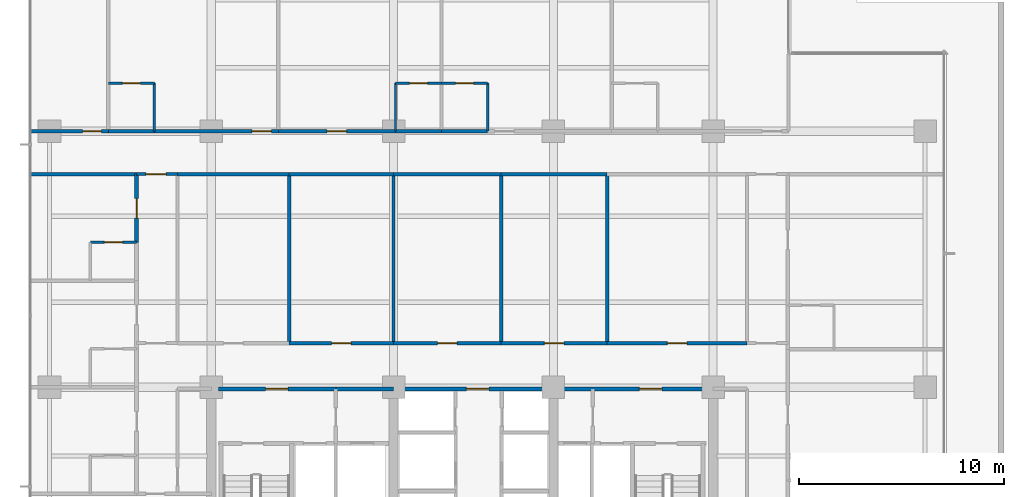
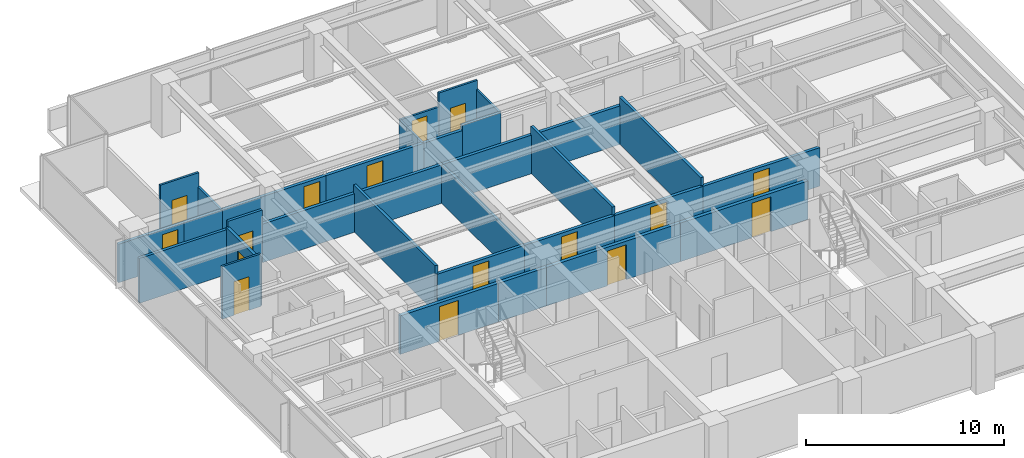
# One storey, part 9 of 16: 32 walls, 16 doors, 16 openings.
"""IFC4 building model written with IfcOpenShell, lengths in metres."""

from ifc_helpers import new_model, si_unit, direction, frame, frame_2d, origin, place, context, subcontext, project, spatial, rectangle, extrude, material, layer, layer_set, type_object, element, fill, save


model = new_model("IFC4")

# Units and contexts
model_context = context("Model", 3, precision=1e-05, world=origin(), true_north=direction((0.0, 1.0)))
body_context = subcontext(model_context, "Body", "Model", "MODEL_VIEW")
ifc_project = project(units=[si_unit("LENGTHUNIT", "METRE"), si_unit("AREAUNIT", "SQUARE_METRE"), si_unit("VOLUMEUNIT", "CUBIC_METRE"), si_unit("PLANEANGLEUNIT", "RADIAN"), si_unit("MASSUNIT", "GRAM", prefix="KILO")], contexts=[model_context])

# Site, building, storey
site_placement = place(None, origin())
site = spatial("IfcSite", under=ifc_project, at=site_placement, CompositionType="ELEMENT")
building_placement = place(site_placement, origin())
building = spatial("IfcBuilding", under=site, at=building_placement, Name="Qalmaran Belvedere Hotel", CompositionType="ELEMENT")
storey_placement = place(building_placement, frame((0.0, 0.0, 138.60009765625)))
storey = spatial("IfcBuildingStorey", under=building, at=storey_placement, Name="L34", CompositionType="ELEMENT", Elevation=138.60009765625)

# Wall, opening, door
ifc_material_1 = material(Name="Moisture-Resistant Gypsum")
ifc_layer_1 = layer(ifc_material_1, 0.1201171875, Name="Moisture-Resistant Gypsum")
ifc_layer_set_1 = layer_set([ifc_layer_1], Name="Moisture-Resistant Gypsum")
wall_type_1 = type_object("IfcWallType", Name="WL-INT-120-BATH", PredefinedType="PARTITIONING", material=ifc_layer_set_1)
wall_1_placement = place(storey_placement, frame((15.27001953125, 35.35009765625, 0.0), z_axis=(0.0, 0.0, 1.0), x_axis=(1.0, 0.0, 0.0)))
wall_1 = element("IfcWall", 1, at=wall_1_placement, inside=storey, type_object=wall_type_1, Name="L34 Partition WL-L34-NBN00", PredefinedType="PARTITIONING", context=body_context, shape_type="SweptSolid", body=[
    extrude(rectangle(XDim=2.25, YDim=0.1201171875, at=frame_2d((1.125, 0.0))), origin(), (0.0, 0.0, 1.0), 3.25),
])
opening_1_placement = place(wall_1_placement, frame((1.56494140625, 0.0, 0.0), z_axis=(0.0, 0.0, 1.0), x_axis=(-1.0, 0.0, 0.0)))
opening_1 = element("IfcOpeningElement", 2, at=opening_1_placement, cuts=wall_1, Name="Opening D-BATH", PredefinedType="OPENING", context=body_context, shape_type="SweptSolid", body=[
    extrude(rectangle(XDim=0.8798828125, YDim=2.080078125, at=frame_2d((0.43994140625, 1.0400390625))), frame((0.0, 0.070068359375, 0.0), z_axis=(0.0, -1.0, 0.0), x_axis=(1.0, 0.0, 0.0)), (0.0, 0.0, 1.0), 0.14013671875),
])
ifc_material_2 = material(Name="Engineered Oak Veneer")
door_type_1 = type_object("IfcDoorType", Name="DR-INT-BATH-880X2080", OperationType="NOTDEFINED", PredefinedType="DOOR", material=ifc_material_2)
door_1_placement = place(opening_1_placement, origin())
door_1 = element("IfcDoor", 3, at=door_1_placement, inside=storey, type_object=door_type_1, Name="L34 Ensuite Bathroom Door N01", OperationType="SINGLE_SWING_RIGHT", OverallHeight=2.080078125, OverallWidth=0.8798828125, PredefinedType="DOOR", context=body_context, shape_type="SweptSolid", body=[
    extrude(rectangle(XDim=0.8798828125, YDim=2.080078125, at=frame_2d((0.43994140625, 1.0400390625))), frame((0.0, 0.02490234375, 0.0), z_axis=(0.0, -1.0, 0.0), x_axis=(1.0, 0.0, 0.0)), (0.0, 0.0, 1.0), 0.050048828125),
])
fill(opening_1, door_1)

# Wall
wall_2_placement = place(storey_placement, frame((17.52001953125, 33.0, 0.0), z_axis=(0.0, 0.0, 1.0), x_axis=(0.0, 1.0, 0.0)))
element("IfcWall", 4, at=wall_2_placement, inside=storey, type_object=wall_type_1, Name="L34 Partition WL-L34-NBS00", PredefinedType="PARTITIONING", context=body_context, shape_type="SweptSolid", body=[
    extrude(rectangle(XDim=2.35009765625, YDim=0.1201171875, at=frame_2d((1.175048828125, 0.0))), origin(), (0.0, 0.0, 1.0), 2.3798828125),
])

# Wall, opening, door
wall_3_placement = place(storey_placement, frame((29.29296875, 35.35009765625, 0.0), z_axis=(0.0, 0.0, 1.0), x_axis=(1.0, 0.0, 0.0)))
wall_3 = element("IfcWall", 5, at=wall_3_placement, inside=storey, type_object=wall_type_1, Name="L34 Partition WL-L34-NBN01", PredefinedType="PARTITIONING", context=body_context, shape_type="SweptSolid", body=[
    extrude(rectangle(XDim=2.25, YDim=0.1201171875, at=frame_2d((1.125, 0.0))), origin(), (0.0, 0.0, 1.0), 2.3798828125),
])
opening_2_placement = place(wall_3_placement, frame((1.56494140625, 0.0, 0.0), z_axis=(0.0, 0.0, 1.0), x_axis=(-1.0, 0.0, 0.0)))
opening_2 = element("IfcOpeningElement", 6, at=opening_2_placement, cuts=wall_3, Name="Opening D-BATH", PredefinedType="OPENING", context=body_context, shape_type="SweptSolid", body=[
    extrude(rectangle(XDim=0.8798828125, YDim=2.080078125, at=frame_2d((0.43994140625, 1.0400390625))), frame((0.0, 0.070068359375, 0.0), z_axis=(0.0, -1.0, 0.0), x_axis=(1.0, 0.0, 0.0)), (0.0, 0.0, 1.0), 0.14013671875),
])
door_2_placement = place(opening_2_placement, origin())
door_2 = element("IfcDoor", 7, at=door_2_placement, inside=storey, type_object=door_type_1, Name="L34 Ensuite Bathroom Door N02", OperationType="SINGLE_SWING_RIGHT", OverallHeight=2.080078125, OverallWidth=0.8798828125, PredefinedType="DOOR", context=body_context, shape_type="SweptSolid", body=[
    extrude(rectangle(XDim=0.8798828125, YDim=2.080078125, at=frame_2d((0.43994140625, 1.0400390625))), frame((0.0, 0.02490234375, 0.0), z_axis=(0.0, -1.0, 0.0), x_axis=(1.0, 0.0, 0.0)), (0.0, 0.0, 1.0), 0.050048828125),
])
fill(opening_2, door_2)

# Wall
wall_4_placement = place(storey_placement, frame((29.29296875, 33.0, 0.0), z_axis=(0.0, 0.0, 1.0), x_axis=(0.0, 1.0, 0.0)))
element("IfcWall", 8, at=wall_4_placement, inside=storey, type_object=wall_type_1, Name="L34 Partition WL-L34-NBS01", PredefinedType="PARTITIONING", context=body_context, shape_type="SweptSolid", body=[
    extrude(rectangle(XDim=2.35009765625, YDim=0.1201171875, at=frame_2d((1.175048828125, 0.0))), origin(), (0.0, 0.0, 1.0), 2.3798828125),
])

# Wall, opening, door
wall_5_placement = place(storey_placement, frame((31.54296875, 35.35009765625, 0.0), z_axis=(0.0, 0.0, 1.0), x_axis=(1.0, 0.0, 0.0)))
wall_5 = element("IfcWall", 9, at=wall_5_placement, inside=storey, type_object=wall_type_1, Name="L34 Partition WL-L34-NBN02", PredefinedType="PARTITIONING", context=body_context, shape_type="SweptSolid", body=[
    extrude(rectangle(XDim=2.25, YDim=0.1201171875, at=frame_2d((1.125, 0.0))), origin(), (0.0, 0.0, 1.0), 3.25),
])
opening_3_placement = place(wall_5_placement, frame((1.56494140625, 0.0, 0.0), z_axis=(0.0, 0.0, 1.0), x_axis=(-1.0, 0.0, 0.0)))
opening_3 = element("IfcOpeningElement", 10, at=opening_3_placement, cuts=wall_5, Name="Opening D-BATH", PredefinedType="OPENING", context=body_context, shape_type="SweptSolid", body=[
    extrude(rectangle(XDim=0.8798828125, YDim=2.080078125, at=frame_2d((0.43994140625, 1.0400390625))), frame((0.0, 0.070068359375, 0.0), z_axis=(0.0, -1.0, 0.0), x_axis=(1.0, 0.0, 0.0)), (0.0, 0.0, 1.0), 0.14013671875),
])
door_3_placement = place(opening_3_placement, origin())
door_3 = element("IfcDoor", 11, at=door_3_placement, inside=storey, type_object=door_type_1, Name="L34 Ensuite Bathroom Door N03", OperationType="SINGLE_SWING_RIGHT", OverallHeight=2.080078125, OverallWidth=0.8798828125, PredefinedType="DOOR", context=body_context, shape_type="SweptSolid", body=[
    extrude(rectangle(XDim=0.8798828125, YDim=2.080078125, at=frame_2d((0.43994140625, 1.0400390625))), frame((0.0, 0.02490234375, 0.0), z_axis=(0.0, -1.0, 0.0), x_axis=(1.0, 0.0, 0.0)), (0.0, 0.0, 1.0), 0.050048828125),
])
fill(opening_3, door_3)

# Wall
wall_6_placement = place(storey_placement, frame((33.79296875, 33.0, 0.0), z_axis=(0.0, 0.0, 1.0), x_axis=(0.0, 1.0, 0.0)))
element("IfcWall", 12, at=wall_6_placement, inside=storey, type_object=wall_type_1, Name="L34 Partition WL-L34-NBS02", PredefinedType="PARTITIONING", context=body_context, shape_type="SweptSolid", body=[
    extrude(rectangle(XDim=2.35009765625, YDim=0.1201171875, at=frame_2d((1.175048828125, 0.0))), origin(), (0.0, 0.0, 1.0), 2.69189453125),
])

# Wall, opening, door
wall_7_placement = place(storey_placement, frame((14.39990234375, 27.570068359375, 0.0), z_axis=(0.0, 0.0, 1.0), x_axis=(1.0, 0.0, 0.0)))
wall_7 = element("IfcWall", 13, at=wall_7_placement, inside=storey, type_object=wall_type_1, Name="L34 Partition WL-L34-WBN02", PredefinedType="PARTITIONING", context=body_context, shape_type="SweptSolid", body=[
    extrude(rectangle(XDim=2.25, YDim=0.1201171875, at=frame_2d((1.125, 0.0))), origin(), (0.0, 0.0, 1.0), 3.25),
])
opening_4_placement = place(wall_7_placement, frame((1.56494140625, 0.0, 0.0), z_axis=(0.0, 0.0, 1.0), x_axis=(-1.0, 0.0, 0.0)))
opening_4 = element("IfcOpeningElement", 14, at=opening_4_placement, cuts=wall_7, Name="Opening D-BATH", PredefinedType="OPENING", context=body_context, shape_type="SweptSolid", body=[
    extrude(rectangle(XDim=0.8798828125, YDim=2.080078125, at=frame_2d((0.43994140625, 1.0400390625))), frame((0.0, 0.070068359375, 0.0), z_axis=(0.0, -1.0, 0.0), x_axis=(1.0, 0.0, 0.0)), (0.0, 0.0, 1.0), 0.14013671875),
])
door_4_placement = place(opening_4_placement, origin())
door_4 = element("IfcDoor", 15, at=door_4_placement, inside=storey, type_object=door_type_1, Name="L34 W Ensuite Door 03", OperationType="SINGLE_SWING_RIGHT", OverallHeight=2.080078125, OverallWidth=0.8798828125, PredefinedType="DOOR", context=body_context, shape_type="SweptSolid", body=[
    extrude(rectangle(XDim=0.8798828125, YDim=2.080078125, at=frame_2d((0.43994140625, 1.0400390625))), frame((0.0, 0.02490234375, 0.0), z_axis=(0.0, -1.0, 0.0), x_axis=(1.0, 0.0, 0.0)), (0.0, 0.0, 1.0), 0.050048828125),
])
fill(opening_4, door_4)

ifc_material_3 = material(Name="Gypsum Stud Partition")
ifc_layer_2 = layer(ifc_material_3, 0.14990234375, Name="Gypsum Stud Partition")
ifc_layer_set_2 = layer_set([ifc_layer_2], Name="Gypsum Stud Partition")
wall_type_2 = type_object("IfcWallType", Name="WL-INT-150-EI60", PredefinedType="PARTITIONING", material=ifc_layer_set_2)
wall_8_placement = place(storey_placement, frame((16.64990234375, 30.89990234375, 0.0), z_axis=(0.0, 0.0, 1.0), x_axis=(1.0, 0.0, 0.0)))
wall_8 = element("IfcWall", 16, at=wall_8_placement, inside=storey, type_object=wall_type_2, Name="L34 Partition WL-L34-XCW2", PredefinedType="PARTITIONING", context=body_context, shape_type="SweptSolid", body=[
    extrude(rectangle(XDim=2.0, YDim=0.14990234375, at=frame_2d((1.0, 0.0))), origin(), (0.0, 0.0, 1.0), 3.25),
])
opening_5_placement = place(wall_8_placement, frame((0.449951171875, 0.0, 0.0)))
opening_5 = element("IfcOpeningElement", 17, at=opening_5_placement, cuts=wall_8, Name="Opening FD90B", PredefinedType="OPENING", context=body_context, shape_type="SweptSolid", body=[
    extrude(rectangle(XDim=1.0, YDim=2.14990234375, at=frame_2d((0.5, 1.074951171875))), frame((0.0, 0.0849609375, 0.0), z_axis=(0.0, -1.0, 0.0), x_axis=(1.0, 0.0, 0.0)), (0.0, 0.0, 1.0), 0.169921875),
])
ifc_material_4 = material(Name="Steel S355JR", Category="steel")
door_type_2 = type_object("IfcDoorType", Name="DR-FD90B-1000X2150", OperationType="NOTDEFINED", PredefinedType="DOOR", material=ifc_material_4)
door_5_placement = place(opening_5_placement, origin())
door_5 = element("IfcDoor", 18, at=door_5_placement, inside=storey, type_object=door_type_2, Name="L34 West Corridor Smoke Door N", OperationType="SINGLE_SWING_RIGHT", OverallHeight=2.14990234375, OverallWidth=1.0, PredefinedType="DOOR", context=body_context, shape_type="SweptSolid", body=[
    extrude(rectangle(XDim=1.0, YDim=2.14990234375, at=frame_2d((0.5, 1.074951171875))), frame((0.0, 0.02490234375, 0.0), z_axis=(0.0, -1.0, 0.0), x_axis=(1.0, 0.0, 0.0)), (0.0, 0.0, 1.0), 0.050048828125),
])
fill(opening_5, door_5)

# Walls
ifc_layer_3 = layer(ifc_material_3, 0.159912109375, Name="Gypsum Stud Partition")
ifc_layer_set_3 = layer_set([ifc_layer_3], Name="Gypsum Stud Partition")
wall_type_3 = type_object("IfcWallType", Name="WL-INT-160-EI60", PredefinedType="PARTITIONING", material=ifc_layer_set_3)
wall_9_placement = place(storey_placement, frame((24.10009765625, 22.64990234375, 0.0), z_axis=(0.0, 0.0, 1.0), x_axis=(0.0, 1.0, 0.0)))
element("IfcWall", 19, at=wall_9_placement, inside=storey, type_object=wall_type_3, Name="L34 Partition WL-L34-MIDVR1", PredefinedType="PARTITIONING", context=body_context, shape_type="SweptSolid", body=[
    extrude(rectangle(XDim=8.25, YDim=0.159912109375, at=frame_2d((4.125, 0.0))), origin(), (0.0, 0.0, 1.0), 2.880859375),
])
wall_10_placement = place(storey_placement, frame((29.199951171875, 22.64990234375, 0.0), z_axis=(0.0, 0.0, 1.0), x_axis=(0.0, 1.0, 0.0)))
element("IfcWall", 20, at=wall_10_placement, inside=storey, type_object=wall_type_3, Name="L34 Partition WL-L34-MIDVR2", PredefinedType="PARTITIONING", context=body_context, shape_type="SweptSolid", body=[
    extrude(rectangle(XDim=8.25, YDim=0.159912109375, at=frame_2d((4.125, 0.0))), origin(), (0.0, 0.0, 1.0), 2.3798828125),
])
for number, where, z_axis, x_axis, name in (
    (21, (34.449951171875, 22.64990234375, 0.0), (0.0, 0.0, 1.0), (0.0, 1.0, 0.0), "L34 Partition WL-L34-MIDVR3"),
    (22, (39.625, 22.64990234375, 0.0), (0.0, 0.0, 1.0), (0.0, 1.0, 0.0), "L34 Partition WL-L34-MIDVR4"),
):
    element("IfcWall", number, at=place(storey_placement, frame(where, z_axis=z_axis, x_axis=x_axis)), inside=storey, type_object=wall_type_3, Name=name, PredefinedType="PARTITIONING", context=body_context, shape_type="SweptSolid", body=[
        extrude(rectangle(XDim=8.25, YDim=0.159912109375, at=frame_2d((4.125, 0.0))), origin(), (0.0, 0.0, 1.0), 2.880859375),
    ])
wall_11_placement = place(storey_placement, frame((11.469970703125, 30.89990234375, 0.0), z_axis=(0.0, 0.0, 1.0), x_axis=(1.0, 0.0, 0.0)))
element("IfcWall", 23, at=wall_11_placement, inside=storey, type_object=wall_type_3, Name="L34 Partition WL-L34-WU02", PredefinedType="PARTITIONING", context=body_context, shape_type="SweptSolid", body=[
    extrude(rectangle(XDim=5.179931640625, YDim=0.159912109375, at=frame_2d((2.58984375, 0.0))), origin(), (0.0, 0.0, 1.0), 2.77197265625),
])
ifc_layer_4 = layer(ifc_material_3, 0.179931640625, Name="Gypsum Stud Partition")
ifc_layer_set_4 = layer_set([ifc_layer_4], Name="Gypsum Stud Partition")
wall_type_4 = type_object("IfcWallType", Name="WL-INT-180-EI60", PredefinedType="PARTITIONING", material=ifc_layer_set_4)
wall_12_placement = place(storey_placement, frame((18.64990234375, 30.89990234375, 0.0), z_axis=(0.0, 0.0, 1.0), x_axis=(1.0, 0.0, 0.0)))
element("IfcWall", 24, at=wall_12_placement, inside=storey, type_object=wall_type_4, Name="L34 Partition WL-L34-MIDO1", PredefinedType="PARTITIONING", context=body_context, shape_type="SweptSolid", body=[
    extrude(rectangle(XDim=5.4501953125, YDim=0.179931640625, at=frame_2d((2.72509765625, 0.0))), origin(), (0.0, 0.0, 1.0), 2.3798828125),
])

# Wall, opening, door
wall_13_placement = place(storey_placement, frame((24.10009765625, 22.64990234375, 0.0), z_axis=(0.0, 0.0, 1.0), x_axis=(1.0, 0.0, 0.0)))
wall_13 = element("IfcWall", 25, at=wall_13_placement, inside=storey, type_object=wall_type_4, Name="L34 Partition WL-L34-MIDD2", PredefinedType="PARTITIONING", context=body_context, shape_type="SweptSolid", body=[
    extrude(rectangle(XDim=5.099853515625, YDim=0.179931640625, at=frame_2d((2.5498046875, 0.0))), origin(), (0.0, 0.0, 1.0), 2.3798828125),
])
opening_6_placement = place(wall_13_placement, frame((2.074951171875, 0.0, 0.0)))
opening_6 = element("IfcOpeningElement", 26, at=opening_6_placement, cuts=wall_13, Name="Opening FD60", PredefinedType="OPENING", context=body_context, shape_type="SweptSolid", body=[
    extrude(rectangle(XDim=0.949951171875, YDim=2.14990234375, at=frame_2d((0.47509765625, 1.074951171875))), frame((0.0, 0.10009765625, 0.0), z_axis=(0.0, -1.0, 0.0), x_axis=(1.0, 0.0, 0.0)), (0.0, 0.0, 1.0), 0.199951171875),
])
door_type_3 = type_object("IfcDoorType", Name="DR-FD60-950X2150", OperationType="NOTDEFINED", PredefinedType="DOOR", material=ifc_material_2)
door_6_placement = place(opening_6_placement, origin())
door_6 = element("IfcDoor", 27, at=door_6_placement, inside=storey, type_object=door_type_3, Name="L34 Club Lounge Door", OperationType="SINGLE_SWING_RIGHT", OverallHeight=2.14990234375, OverallWidth=0.949951171875, PredefinedType="DOOR", context=body_context, shape_type="SweptSolid", body=[
    extrude(rectangle(XDim=0.949951171875, YDim=2.14990234375, at=frame_2d((0.47509765625, 1.074951171875))), frame((0.0, 0.02490234375, 0.0), z_axis=(0.0, -1.0, 0.0), x_axis=(1.0, 0.0, 0.0)), (0.0, 0.0, 1.0), 0.050048828125),
])
fill(opening_6, door_6)

# Wall
wall_14_placement = place(storey_placement, frame((24.10009765625, 30.89990234375, 0.0), z_axis=(0.0, 0.0, 1.0), x_axis=(1.0, 0.0, 0.0)))
element("IfcWall", 28, at=wall_14_placement, inside=storey, type_object=wall_type_4, Name="L34 Partition WL-L34-MIDO2", PredefinedType="PARTITIONING", context=body_context, shape_type="SweptSolid", body=[
    extrude(rectangle(XDim=5.099853515625, YDim=0.179931640625, at=frame_2d((2.5498046875, 0.0))), origin(), (0.0, 0.0, 1.0), 2.3798828125),
])

# Wall, opening, door
wall_15_placement = place(storey_placement, frame((29.199951171875, 22.64990234375, 0.0), z_axis=(0.0, 0.0, 1.0), x_axis=(1.0, 0.0, 0.0)))
wall_15 = element("IfcWall", 29, at=wall_15_placement, inside=storey, type_object=wall_type_4, Name="L34 Partition WL-L34-MIDD3", PredefinedType="PARTITIONING", context=body_context, shape_type="SweptSolid", body=[
    extrude(rectangle(XDim=5.25, YDim=0.179931640625, at=frame_2d((2.625, 0.0))), origin(), (0.0, 0.0, 1.0), 2.3798828125),
])
opening_7_placement = place(wall_15_placement, frame((2.14990234375, 0.0, 0.0)))
opening_7 = element("IfcOpeningElement", 30, at=opening_7_placement, cuts=wall_15, Name="Opening FD60", PredefinedType="OPENING", context=body_context, shape_type="SweptSolid", body=[
    extrude(rectangle(XDim=0.949951171875, YDim=2.14990234375, at=frame_2d((0.47509765625, 1.074951171875))), frame((0.0, 0.10009765625, 0.0), z_axis=(0.0, -1.0, 0.0), x_axis=(1.0, 0.0, 0.0)), (0.0, 0.0, 1.0), 0.199951171875),
])
door_7_placement = place(opening_7_placement, origin())
door_7 = element("IfcDoor", 31, at=door_7_placement, inside=storey, type_object=door_type_3, Name="L34 Reading Lounge Door", OperationType="SINGLE_SWING_LEFT", OverallHeight=2.14990234375, OverallWidth=0.949951171875, PredefinedType="DOOR", context=body_context, shape_type="SweptSolid", body=[
    extrude(rectangle(XDim=0.949951171875, YDim=2.14990234375, at=frame_2d((0.47509765625, 1.074951171875))), frame((0.0, 0.02490234375, 0.0), z_axis=(0.0, -1.0, 0.0), x_axis=(1.0, 0.0, 0.0)), (0.0, 0.0, 1.0), 0.050048828125),
])
fill(opening_7, door_7)

# Wall
wall_16_placement = place(storey_placement, frame((29.199951171875, 30.89990234375, 0.0), z_axis=(0.0, 0.0, 1.0), x_axis=(1.0, 0.0, 0.0)))
element("IfcWall", 32, at=wall_16_placement, inside=storey, type_object=wall_type_4, Name="L34 Partition WL-L34-MIDO3", PredefinedType="PARTITIONING", context=body_context, shape_type="SweptSolid", body=[
    extrude(rectangle(XDim=5.25, YDim=0.179931640625, at=frame_2d((2.625, 0.0))), origin(), (0.0, 0.0, 1.0), 2.3798828125),
])

# Wall, opening, door
wall_17_placement = place(storey_placement, frame((34.449951171875, 22.64990234375, 0.0), z_axis=(0.0, 0.0, 1.0), x_axis=(1.0, 0.0, 0.0)))
wall_17 = element("IfcWall", 33, at=wall_17_placement, inside=storey, type_object=wall_type_4, Name="L34 Partition WL-L34-MIDD4", PredefinedType="PARTITIONING", context=body_context, shape_type="SweptSolid", body=[
    extrude(rectangle(XDim=5.175048828125, YDim=0.179931640625, at=frame_2d((2.58740234375, 0.0))), origin(), (0.0, 0.0, 1.0), 2.3798828125),
])
opening_8_placement = place(wall_17_placement, frame((2.112548828125, 0.0, 0.0)))
opening_8 = element("IfcOpeningElement", 34, at=opening_8_placement, cuts=wall_17, Name="Opening FD60", PredefinedType="OPENING", context=body_context, shape_type="SweptSolid", body=[
    extrude(rectangle(XDim=0.949951171875, YDim=2.14990234375, at=frame_2d((0.47509765625, 1.074951171875))), frame((0.0, 0.10009765625, 0.0), z_axis=(0.0, -1.0, 0.0), x_axis=(1.0, 0.0, 0.0)), (0.0, 0.0, 1.0), 0.199951171875),
])
door_8_placement = place(opening_8_placement, origin())
door_8 = element("IfcDoor", 35, at=door_8_placement, inside=storey, type_object=door_type_3, Name="L34 Tea Lounge Door", OperationType="SINGLE_SWING_RIGHT", OverallHeight=2.14990234375, OverallWidth=0.949951171875, PredefinedType="DOOR", context=body_context, shape_type="SweptSolid", body=[
    extrude(rectangle(XDim=0.949951171875, YDim=2.14990234375, at=frame_2d((0.47509765625, 1.074951171875))), frame((0.0, 0.02490234375, 0.0), z_axis=(0.0, -1.0, 0.0), x_axis=(1.0, 0.0, 0.0)), (0.0, 0.0, 1.0), 0.050048828125),
])
fill(opening_8, door_8)

# Wall
wall_18_placement = place(storey_placement, frame((34.449951171875, 30.89990234375, 0.0), z_axis=(0.0, 0.0, 1.0), x_axis=(1.0, 0.0, 0.0)))
element("IfcWall", 36, at=wall_18_placement, inside=storey, type_object=wall_type_4, Name="L34 Partition WL-L34-MIDO4", PredefinedType="PARTITIONING", context=body_context, shape_type="SweptSolid", body=[
    extrude(rectangle(XDim=5.175048828125, YDim=0.179931640625, at=frame_2d((2.58740234375, 0.0))), origin(), (0.0, 0.0, 1.0), 2.3798828125),
])

# Wall, opening, door
wall_19_placement = place(storey_placement, frame((39.625, 22.64990234375, 0.0), z_axis=(0.0, 0.0, 1.0), x_axis=(1.0, 0.0, 0.0)))
wall_19 = element("IfcWall", 37, at=wall_19_placement, inside=storey, type_object=wall_type_4, Name="L34 Partition WL-L34-MIDD5", PredefinedType="PARTITIONING", context=body_context, shape_type="SweptSolid", body=[
    extrude(rectangle(XDim=6.824951171875, YDim=0.179931640625, at=frame_2d((3.41259765625, 0.0))), origin(), (0.0, 0.0, 1.0), 2.3798828125),
])
opening_9_placement = place(wall_19_placement, frame((2.9375, 0.0, 0.0)))
opening_9 = element("IfcOpeningElement", 38, at=opening_9_placement, cuts=wall_19, Name="Opening FD60", PredefinedType="OPENING", context=body_context, shape_type="SweptSolid", body=[
    extrude(rectangle(XDim=0.949951171875, YDim=2.14990234375, at=frame_2d((0.47509765625, 1.074951171875))), frame((0.0, 0.10009765625, 0.0), z_axis=(0.0, -1.0, 0.0), x_axis=(1.0, 0.0, 0.0)), (0.0, 0.0, 1.0), 0.199951171875),
])
door_9_placement = place(opening_9_placement, origin())
door_9 = element("IfcDoor", 39, at=door_9_placement, inside=storey, type_object=door_type_3, Name="L34 Sunset Lounge Door", OperationType="SINGLE_SWING_LEFT", OverallHeight=2.14990234375, OverallWidth=0.949951171875, PredefinedType="DOOR", context=body_context, shape_type="SweptSolid", body=[
    extrude(rectangle(XDim=0.949951171875, YDim=2.14990234375, at=frame_2d((0.47509765625, 1.074951171875))), frame((0.0, 0.02490234375, 0.0), z_axis=(0.0, -1.0, 0.0), x_axis=(1.0, 0.0, 0.0)), (0.0, 0.0, 1.0), 0.050048828125),
])
fill(opening_9, door_9)

# Wall
wall_20_placement = place(storey_placement, frame((15.27001953125, 33.0, 0.0), z_axis=(0.0, 0.0, 1.0), x_axis=(1.0, 0.0, 0.0)))
element("IfcWall", 40, at=wall_20_placement, inside=storey, type_object=wall_type_4, Name="L34 Partition WL-L34-NBC00", PredefinedType="PARTITIONING", context=body_context, shape_type="SweptSolid", body=[
    extrude(rectangle(XDim=2.25, YDim=0.179931640625, at=frame_2d((1.125, 0.0))), origin(), (0.0, 0.0, 1.0), 2.3798828125),
])

# Wall, opening, door
wall_21_placement = place(storey_placement, frame((17.52001953125, 33.0, 0.0), z_axis=(0.0, 0.0, 1.0), x_axis=(1.0, 0.0, 0.0)))
wall_21 = element("IfcWall", 41, at=wall_21_placement, inside=storey, type_object=wall_type_4, Name="L34 Partition WL-L34-NEC00", PredefinedType="PARTITIONING", context=body_context, shape_type="SweptSolid", body=[
    extrude(rectangle(XDim=6.052490234375, YDim=0.179931640625, at=frame_2d((3.0263671875, 0.0))), origin(), (0.0, 0.0, 1.0), 2.3798828125),
])
opening_10_placement = place(wall_21_placement, frame((4.762939453125, 0.0, 0.0)))
opening_10 = element("IfcOpeningElement", 42, at=opening_10_placement, cuts=wall_21, Name="Opening FD60", PredefinedType="OPENING", context=body_context, shape_type="SweptSolid", body=[
    extrude(rectangle(XDim=0.949951171875, YDim=2.14990234375, at=frame_2d((0.47509765625, 1.074951171875))), frame((0.0, 0.10009765625, 0.0), z_axis=(0.0, -1.0, 0.0), x_axis=(1.0, 0.0, 0.0)), (0.0, 0.0, 1.0), 0.199951171875),
])
door_10_placement = place(opening_10_placement, origin())
door_10 = element("IfcDoor", 43, at=door_10_placement, inside=storey, type_object=door_type_3, Name="L34 Guest Entrance Door N01", OperationType="SINGLE_SWING_LEFT", OverallHeight=2.14990234375, OverallWidth=0.949951171875, PredefinedType="DOOR", context=body_context, shape_type="SweptSolid", body=[
    extrude(rectangle(XDim=0.949951171875, YDim=2.14990234375, at=frame_2d((0.47509765625, 1.074951171875))), frame((0.0, 0.02490234375, 0.0), z_axis=(0.0, -1.0, 0.0), x_axis=(1.0, 0.0, 0.0)), (0.0, 0.0, 1.0), 0.050048828125),
])
fill(opening_10, door_10)

# Wall
wall_22_placement = place(storey_placement, frame((29.29296875, 33.0, 0.0), z_axis=(0.0, 0.0, 1.0), x_axis=(1.0, 0.0, 0.0)))
element("IfcWall", 44, at=wall_22_placement, inside=storey, type_object=wall_type_4, Name="L34 Partition WL-L34-NBC01", PredefinedType="PARTITIONING", context=body_context, shape_type="SweptSolid", body=[
    extrude(rectangle(XDim=2.25, YDim=0.179931640625, at=frame_2d((1.125, 0.0))), origin(), (0.0, 0.0, 1.0), 2.3798828125),
])

# Wall, opening, door
wall_23_placement = place(storey_placement, frame((23.572509765625, 33.0, 0.0), z_axis=(0.0, 0.0, 1.0), x_axis=(1.0, 0.0, 0.0)))
wall_23 = element("IfcWall", 45, at=wall_23_placement, inside=storey, type_object=wall_type_4, Name="L34 Partition WL-L34-NEC01", PredefinedType="PARTITIONING", context=body_context, shape_type="SweptSolid", body=[
    extrude(rectangle(XDim=5.720458984375, YDim=0.179931640625, at=frame_2d((2.8603515625, 0.0))), origin(), (0.0, 0.0, 1.0), 2.3798828125),
])
opening_11_placement = place(wall_23_placement, frame((2.38525390625, 0.0, 0.0)))
opening_11 = element("IfcOpeningElement", 46, at=opening_11_placement, cuts=wall_23, Name="Opening FD60", PredefinedType="OPENING", context=body_context, shape_type="SweptSolid", body=[
    extrude(rectangle(XDim=0.949951171875, YDim=2.14990234375, at=frame_2d((0.47509765625, 1.074951171875))), frame((0.0, 0.10009765625, 0.0), z_axis=(0.0, -1.0, 0.0), x_axis=(1.0, 0.0, 0.0)), (0.0, 0.0, 1.0), 0.199951171875),
])
door_11_placement = place(opening_11_placement, origin())
door_11 = element("IfcDoor", 47, at=door_11_placement, inside=storey, type_object=door_type_3, Name="L34 Guest Entrance Door N02", OperationType="SINGLE_SWING_LEFT", OverallHeight=2.14990234375, OverallWidth=0.949951171875, PredefinedType="DOOR", context=body_context, shape_type="SweptSolid", body=[
    extrude(rectangle(XDim=0.949951171875, YDim=2.14990234375, at=frame_2d((0.47509765625, 1.074951171875))), frame((0.0, 0.02490234375, 0.0), z_axis=(0.0, -1.0, 0.0), x_axis=(1.0, 0.0, 0.0)), (0.0, 0.0, 1.0), 0.050048828125),
])
fill(opening_11, door_11)

# Wall
wall_24_placement = place(storey_placement, frame((31.54296875, 33.0, 0.0), z_axis=(0.0, 0.0, 1.0), x_axis=(1.0, 0.0, 0.0)))
element("IfcWall", 48, at=wall_24_placement, inside=storey, type_object=wall_type_4, Name="L34 Partition WL-L34-NBC02", PredefinedType="PARTITIONING", context=body_context, shape_type="SweptSolid", body=[
    extrude(rectangle(XDim=2.25, YDim=0.179931640625, at=frame_2d((1.125, 0.0))), origin(), (0.0, 0.0, 1.0), 2.69189453125),
])

# Wall, opening, door
wall_25_placement = place(storey_placement, frame((16.64990234375, 27.570068359375, 0.0), z_axis=(0.0, 0.0, 1.0), x_axis=(0.0, 1.0, 0.0)))
wall_25 = element("IfcWall", 49, at=wall_25_placement, inside=storey, type_object=wall_type_4, Name="L34 Partition WL-L34-WEC02", PredefinedType="PARTITIONING", context=body_context, shape_type="SweptSolid", body=[
    extrude(rectangle(XDim=3.329833984375, YDim=0.179931640625, at=frame_2d((1.6650390625, 0.0))), origin(), (0.0, 0.0, 1.0), 2.880859375),
])
opening_12_placement = place(wall_25_placement, frame((1.18994140625, 0.0, 0.0)))
opening_12 = element("IfcOpeningElement", 50, at=opening_12_placement, cuts=wall_25, Name="Opening FD60", PredefinedType="OPENING", context=body_context, shape_type="SweptSolid", body=[
    extrude(rectangle(XDim=0.949951171875, YDim=2.14990234375, at=frame_2d((0.47509765625, 1.074951171875))), frame((0.0, 0.10009765625, 0.0), z_axis=(0.0, -1.0, 0.0), x_axis=(1.0, 0.0, 0.0)), (0.0, 0.0, 1.0), 0.199951171875),
])
door_12_placement = place(opening_12_placement, origin())
door_12 = element("IfcDoor", 51, at=door_12_placement, inside=storey, type_object=door_type_3, Name="L34 W Wing Door 03", OperationType="SINGLE_SWING_LEFT", OverallHeight=2.14990234375, OverallWidth=0.949951171875, PredefinedType="DOOR", context=body_context, shape_type="SweptSolid", body=[
    extrude(rectangle(XDim=0.949951171875, YDim=2.14990234375, at=frame_2d((0.47509765625, 1.074951171875))), frame((0.0, 0.02490234375, 0.0), z_axis=(0.0, -1.0, 0.0), x_axis=(1.0, 0.0, 0.0)), (0.0, 0.0, 1.0), 0.050048828125),
])
fill(opening_12, door_12)

wall_26_placement = place(storey_placement, frame((11.469970703125, 33.0, 0.0), z_axis=(0.0, 0.0, 1.0), x_axis=(1.0, 0.0, 0.0)))
wall_26 = element("IfcWall", 52, at=wall_26_placement, inside=storey, type_object=wall_type_4, Name="L34 Partition WL-L34-NWSD", PredefinedType="PARTITIONING", context=body_context, shape_type="SweptSolid", body=[
    extrude(rectangle(XDim=3.800048828125, YDim=0.179931640625, at=frame_2d((1.89990234375, 0.0))), origin(), (0.0, 0.0, 1.0), 2.3798828125),
])
opening_13_placement = place(wall_26_placement, frame((2.543701171875, 0.0, 0.0)))
opening_13 = element("IfcOpeningElement", 53, at=opening_13_placement, cuts=wall_26, Name="Opening FD60S1", PredefinedType="OPENING", context=body_context, shape_type="SweptSolid", body=[
    extrude(rectangle(XDim=0.919921875, YDim=2.080078125, at=frame_2d((0.4599609375, 1.0400390625))), frame((0.0, 0.10009765625, 0.0), z_axis=(0.0, -1.0, 0.0), x_axis=(1.0, 0.0, 0.0)), (0.0, 0.0, 1.0), 0.199951171875),
])
door_type_4 = type_object("IfcDoorType", Name="DR-FD60S-920X2080", OperationType="NOTDEFINED", PredefinedType="DOOR", material=ifc_material_2)
door_13_placement = place(opening_13_placement, origin())
door_13 = element("IfcDoor", 54, at=door_13_placement, inside=storey, type_object=door_type_4, Name="L34 NW Belvedere Study Door", OperationType="SINGLE_SWING_RIGHT", OverallHeight=2.080078125, OverallWidth=0.919921875, PredefinedType="DOOR", context=body_context, shape_type="SweptSolid", body=[
    extrude(rectangle(XDim=0.919921875, YDim=2.080078125, at=frame_2d((0.4599609375, 1.0400390625))), frame((0.0, 0.02490234375, 0.0), z_axis=(0.0, -1.0, 0.0), x_axis=(1.0, 0.0, 0.0)), (0.0, 0.0, 1.0), 0.050048828125),
])
fill(opening_13, door_13)

ifc_material_5 = material(Name="Concrete C30/37 Blockwork", Category="masonry")
ifc_layer_5 = layer(ifc_material_5, 0.199951171875, Name="Concrete C30/37 Blockwork")
ifc_layer_set_5 = layer_set([ifc_layer_5], Name="Concrete C30/37 Blockwork")
wall_type_5 = type_object("IfcWallType", Name="WL-INT-200-EI120", PredefinedType="PARTITIONING", material=ifc_layer_set_5)
wall_27_placement = place(storey_placement, frame((20.64990234375, 20.419921875, 0.0), z_axis=(0.0, 0.0, 1.0), x_axis=(1.0, 0.0, 0.0)))
wall_27 = element("IfcWall", 55, at=wall_27_placement, inside=storey, type_object=wall_type_5, Name="L34 Partition WL-CN1A-L34", PredefinedType="PARTITIONING", context=body_context, shape_type="SweptSolid", body=[
    extrude(rectangle(XDim=5.72998046875, YDim=0.199951171875, at=frame_2d((2.864990234375, 0.0))), origin(), (0.0, 0.0, 1.0), 2.3798828125),
])
opening_14_placement = place(wall_27_placement, frame((2.300048828125, 0.0, 0.0)))
opening_14 = element("IfcOpeningElement", 56, at=opening_14_placement, cuts=wall_27, Name="Opening FD90", PredefinedType="OPENING", context=body_context, shape_type="SweptSolid", body=[
    extrude(rectangle(XDim=1.10009765625, YDim=2.14990234375, at=frame_2d((0.550048828125, 1.074951171875))), frame((0.0, 0.10986328125, 0.0), z_axis=(0.0, -1.0, 0.0), x_axis=(1.0, 0.0, 0.0)), (0.0, 0.0, 1.0), 0.219970703125),
])
door_type_5 = type_object("IfcDoorType", Name="DR-FD90-1100X2150", OperationType="NOTDEFINED", PredefinedType="DOOR", material=ifc_material_4)
door_14_placement = place(opening_14_placement, origin())
door_14 = element("IfcDoor", 57, at=door_14_placement, inside=storey, type_object=door_type_5, Name="L34 FF1 Lobby Corridor Door", OperationType="SINGLE_SWING_RIGHT", OverallHeight=2.14990234375, OverallWidth=1.10009765625, PredefinedType="DOOR", context=body_context, shape_type="SweptSolid", body=[
    extrude(rectangle(XDim=1.10009765625, YDim=2.14990234375, at=frame_2d((0.550048828125, 1.074951171875))), frame((0.0, 0.02490234375, 0.0), z_axis=(0.0, -1.0, 0.0), x_axis=(1.0, 0.0, 0.0)), (0.0, 0.0, 1.0), 0.050048828125),
])
fill(opening_14, door_14)

# Wall
wall_28_placement = place(storey_placement, frame((26.3798828125, 20.419921875, 0.0), z_axis=(0.0, 0.0, 1.0), x_axis=(1.0, 0.0, 0.0)))
element("IfcWall", 58, at=wall_28_placement, inside=storey, type_object=wall_type_5, Name="L34 Partition WL-CN1B-L34", PredefinedType="PARTITIONING", context=body_context, shape_type="SweptSolid", body=[
    extrude(rectangle(XDim=2.820068359375, YDim=0.199951171875, at=frame_2d((1.41015625, 0.0))), origin(), (0.0, 0.0, 1.0), 2.3798828125),
])

# Wall, opening, door
wall_29_placement = place(storey_placement, frame((29.199951171875, 20.419921875, 0.0), z_axis=(0.0, 0.0, 1.0), x_axis=(1.0, 0.0, 0.0)))
wall_29 = element("IfcWall", 59, at=wall_29_placement, inside=storey, type_object=wall_type_5, Name="L34 Partition WL-CN2-L34", PredefinedType="PARTITIONING", context=body_context, shape_type="SweptSolid", body=[
    extrude(rectangle(XDim=7.800048828125, YDim=0.199951171875, at=frame_2d((3.89990234375, 0.0))), origin(), (0.0, 0.0, 1.0), 2.3798828125),
])
opening_15_placement = place(wall_29_placement, frame((3.550048828125, 0.0, 0.0)))
opening_15 = element("IfcOpeningElement", 60, at=opening_15_placement, cuts=wall_29, Name="Opening FD90", PredefinedType="OPENING", context=body_context, shape_type="SweptSolid", body=[
    extrude(rectangle(XDim=1.10009765625, YDim=2.14990234375, at=frame_2d((0.550048828125, 1.074951171875))), frame((0.0, 0.10986328125, 0.0), z_axis=(0.0, -1.0, 0.0), x_axis=(1.0, 0.0, 0.0)), (0.0, 0.0, 1.0), 0.219970703125),
])
door_15_placement = place(opening_15_placement, origin())
door_15 = element("IfcDoor", 61, at=door_15_placement, inside=storey, type_object=door_type_5, Name="L34 Central Lift Lobby Door", OperationType="SINGLE_SWING_LEFT", OverallHeight=2.14990234375, OverallWidth=1.10009765625, PredefinedType="DOOR", context=body_context, shape_type="SweptSolid", body=[
    extrude(rectangle(XDim=1.10009765625, YDim=2.14990234375, at=frame_2d((0.550048828125, 1.074951171875))), frame((0.0, 0.02490234375, 0.0), z_axis=(0.0, -1.0, 0.0), x_axis=(1.0, 0.0, 0.0)), (0.0, 0.0, 1.0), 0.050048828125),
])
fill(opening_15, door_15)

wall_30_placement = place(storey_placement, frame((37.0, 20.419921875, 0.0), z_axis=(0.0, 0.0, 1.0), x_axis=(1.0, 0.0, 0.0)))
wall_30 = element("IfcWall", 62, at=wall_30_placement, inside=storey, type_object=wall_type_5, Name="L34 Partition WL-CN3-L34", PredefinedType="PARTITIONING", context=body_context, shape_type="SweptSolid", body=[
    extrude(rectangle(XDim=7.449951171875, YDim=0.199951171875, at=frame_2d((3.72509765625, 0.0))), origin(), (0.0, 0.0, 1.0), 2.3798828125),
])
opening_16_placement = place(wall_30_placement, frame((4.199951171875, 0.0, 0.0)))
opening_16 = element("IfcOpeningElement", 63, at=opening_16_placement, cuts=wall_30, Name="Opening FD90", PredefinedType="OPENING", context=body_context, shape_type="SweptSolid", body=[
    extrude(rectangle(XDim=1.10009765625, YDim=2.14990234375, at=frame_2d((0.550048828125, 1.074951171875))), frame((0.0, 0.10986328125, 0.0), z_axis=(0.0, -1.0, 0.0), x_axis=(1.0, 0.0, 0.0)), (0.0, 0.0, 1.0), 0.219970703125),
])
door_16_placement = place(opening_16_placement, origin())
door_16 = element("IfcDoor", 64, at=door_16_placement, inside=storey, type_object=door_type_5, Name="L34 FF2 Lobby Corridor Door", OperationType="SINGLE_SWING_RIGHT", OverallHeight=2.14990234375, OverallWidth=1.10009765625, PredefinedType="DOOR", context=body_context, shape_type="SweptSolid", body=[
    extrude(rectangle(XDim=1.10009765625, YDim=2.14990234375, at=frame_2d((0.550048828125, 1.074951171875))), frame((0.0, 0.02490234375, 0.0), z_axis=(0.0, -1.0, 0.0), x_axis=(1.0, 0.0, 0.0)), (0.0, 0.0, 1.0), 0.050048828125),
])
fill(opening_16, door_16)

save(model, "model.ifc")
